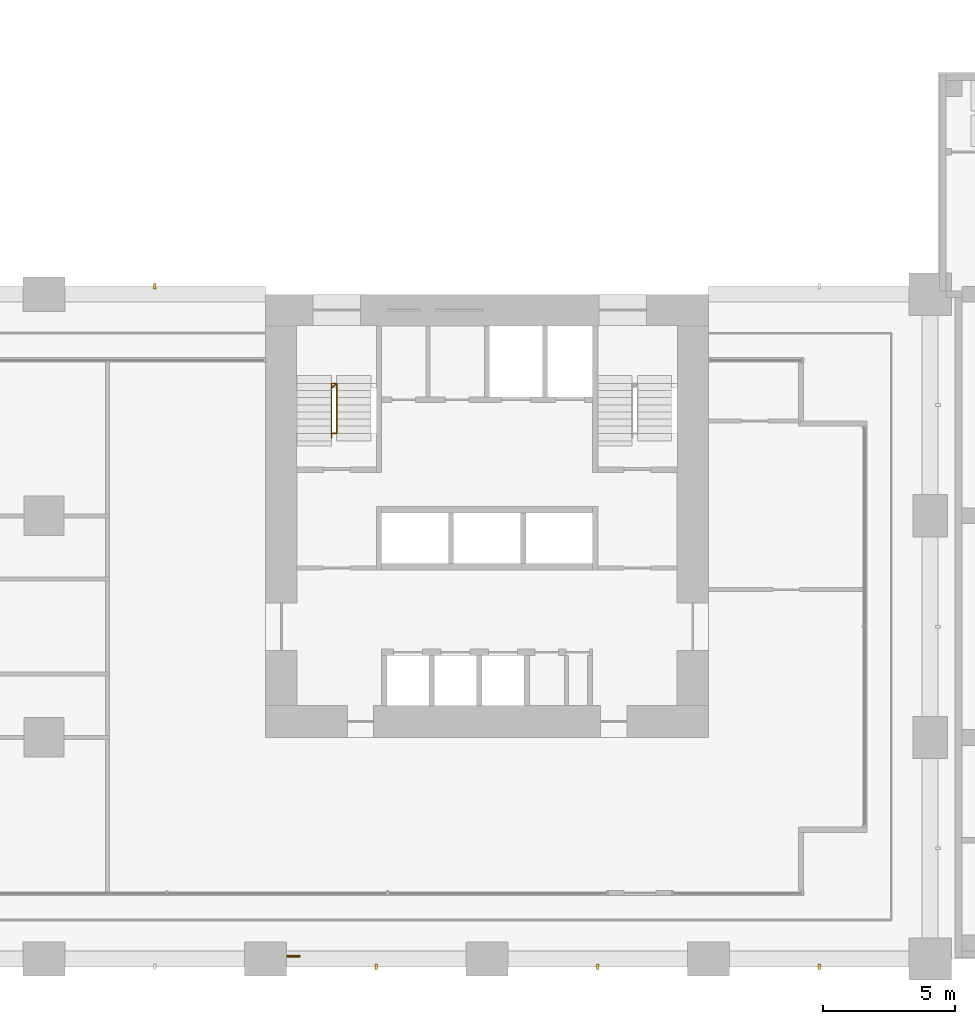
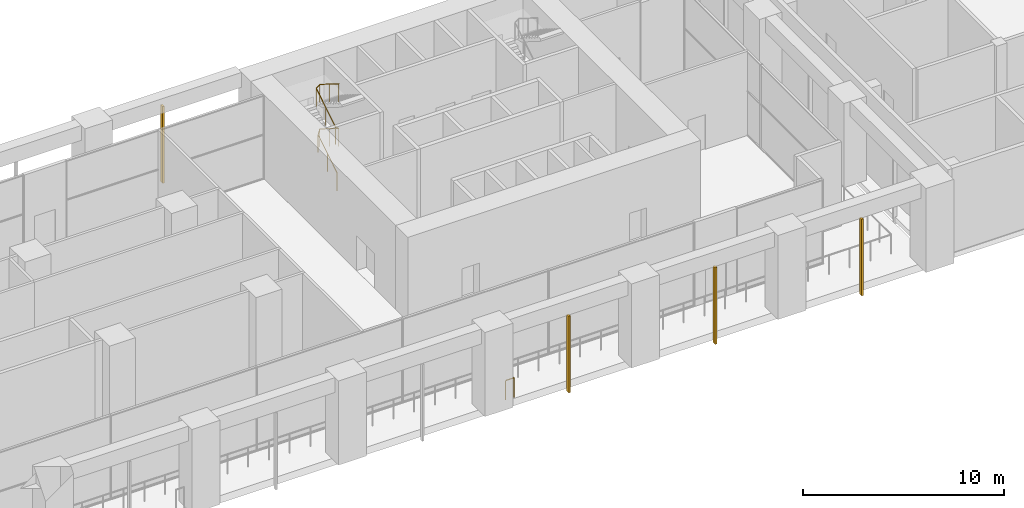
# One storey, part 26 of 33: 4 shading devices, 2 railings.
"""IFC4 building model written with IfcOpenShell, lengths in metres."""

from ifc_helpers import new_model, si_unit, direction, frame, origin, origin_2d, place, context, subcontext, project, spatial, rectangle, circle, extrude, material, material_profile, profile_set, type_object, element, save


model = new_model("IFC4")

# Units and contexts
model_context = context("Model", 3, precision=1e-05, world=origin(), true_north=direction((0.0, 1.0)))
body_context = subcontext(model_context, "Body", "Model", "MODEL_VIEW")
ifc_project = project(units=[si_unit("LENGTHUNIT", "METRE"), si_unit("AREAUNIT", "SQUARE_METRE"), si_unit("VOLUMEUNIT", "CUBIC_METRE"), si_unit("PLANEANGLEUNIT", "RADIAN"), si_unit("MASSUNIT", "GRAM", prefix="KILO")], contexts=[model_context])

# Site, building, storey
site_placement = place(None, origin())
site = spatial("IfcSite", under=ifc_project, at=site_placement, CompositionType="ELEMENT")
building_placement = place(site_placement, origin())
building = spatial("IfcBuilding", under=site, at=building_placement, Name="Vermilion Gate Residences", CompositionType="ELEMENT")
storey_placement = place(building_placement, frame((0.0, 0.0, 14.39990234375)))
storey = spatial("IfcBuildingStorey", under=building, at=storey_placement, Name="L02", CompositionType="ELEMENT", Elevation=14.39990234375)

# Railings
ifc_material_1 = material(Name="Stainless steel and toughened glass", Category="steel")
railing_type_1 = type_object("IfcRailingType", Name="LOGGIA GUARD STEEL AND GLASS 1200", PredefinedType="GUARDRAIL", material=ifc_material_1)
railing_1_placement = place(storey_placement, frame((43.300048828125, 0.10009765625, 0.0)))
element("IfcRailing", 1, at=railing_1_placement, inside=storey, type_object=railing_type_1, Name="Loggia guard", PredefinedType="GUARDRAIL", context=body_context, shape_type="SweptSolid", body=[
    extrude(circle(Radius=0.030029296875, at=origin_2d()), frame((0.0, 0.0, 1.169921875), z_axis=(-1.0, 0.0, 0.0), x_axis=(0.0, -1.0, 0.0)), (0.0, 0.0, 1.0), 0.47802734375),
    extrude(circle(Radius=0.02490234375, at=origin_2d()), origin(), (0.0, 0.0, 1.0), 1.139892578125),
    extrude(circle(Radius=0.02490234375, at=origin_2d()), frame((-0.47802734375, 0.0, 0.0)), (0.0, 0.0, 1.0), 1.139892578125),
])
ifc_material_2 = material(Name="Steel S355", Category="steel")
railing_type_2 = type_object("IfcRailingType", Name="STAIR GUARD 1100 STEEL", PredefinedType="GUARDRAIL", material=ifc_material_2)
railing_2_placement = place(storey_placement, frame((44.5, 19.75, 0.1689453125)))
element("IfcRailing", 2, at=railing_2_placement, inside=storey, type_object=railing_type_2, Name="Stair well guard STA1-02", PredefinedType="GUARDRAIL", context=body_context, shape_type="SweptSolid", body=[
    extrude(circle(Radius=0.02392578125, at=origin_2d()), frame((0.0, 0.0, 1.076171875), z_axis=(0.0, 0.848004458282, 0.529989093033), x_axis=(-1.0, 0.0, 0.0)), (0.0, 0.0, 1.0), 2.228515625),
    extrude(circle(Radius=0.02392578125, at=origin_2d()), frame((0.0, 1.889892578125, 2.25732421875), z_axis=(0.629462764899, 0.567208205734, 0.531085189921), x_axis=(-0.669415636384, 0.74288808428, 0.0)), (0.0, 0.0, 1.0), 0.317626953125),
    extrude(circle(Radius=0.02392578125, at=origin_2d()), frame((0.199951171875, 2.070068359375, 2.42578125), z_axis=(0.0, -0.847985996966, 0.530018630757), x_axis=(1.0, 0.0, 0.0)), (0.0, 0.0, 1.0), 2.22900390625),
    extrude(circle(Radius=0.02392578125, at=origin_2d()), frame((0.199951171875, 0.179931640625, 3.607421875), z_axis=(-0.764305856904, 0.0, 0.644853903688), x_axis=(0.0, -1.0, 0.0)), (0.0, 0.0, 1.0), 0.26171875),
    extrude(circle(Radius=0.02392578125, at=origin_2d()), frame((0.0, 0.179931640625, 3.77587890625), z_axis=(0.0, 0.848035224522, 0.529939862598), x_axis=(-1.0, 0.0, 0.0)), (0.0, 0.0, 1.0), 2.228759765625),
    extrude(circle(Radius=0.02392578125, at=origin_2d()), frame((0.0, 2.070068359375, 4.95703125), z_axis=(0.764305856904, 0.0, 0.644853903688), x_axis=(0.0, 1.0, 0.0)), (0.0, 0.0, 1.0), 0.26171875),
    extrude(circle(Radius=0.02392578125, at=origin_2d()), frame((0.199951171875, 2.070068359375, 5.1259765625), z_axis=(0.0, -0.847985996966, 0.530018630757), x_axis=(1.0, 0.0, 0.0)), (0.0, 0.0, 1.0), 2.22900390625),
    extrude(circle(Radius=0.02099609375, at=origin_2d()), origin(), (0.0, 0.0, 1.0), 1.052001953125),
    extrude(circle(Radius=0.02099609375, at=origin_2d()), frame((0.0, 0.94482421875, 0.590576171875)), (0.0, 0.0, 1.0), 1.052001953125),
    extrude(circle(Radius=0.02099609375, at=origin_2d()), frame((0.0, 1.889892578125, 1.18115234375)), (0.0, 0.0, 1.0), 1.052001953125),
    extrude(circle(Radius=0.02099609375, at=origin_2d()), frame((0.199951171875, 2.070068359375, 1.349853515625)), (0.0, 0.0, 1.0), 1.052001953125),
    extrude(circle(Radius=0.02099609375, at=origin_2d()), frame((0.199951171875, 1.125, 1.9404296875)), (0.0, 0.0, 1.0), 1.052001953125),
    extrude(circle(Radius=0.02099609375, at=origin_2d()), frame((0.199951171875, 0.179931640625, 2.53125)), (0.0, 0.0, 1.0), 1.052001953125),
    extrude(circle(Radius=0.02099609375, at=origin_2d()), frame((0.0, 0.179931640625, 2.699951171875)), (0.0, 0.0, 1.0), 1.052001953125),
    extrude(circle(Radius=0.02099609375, at=origin_2d()), frame((0.0, 1.125, 3.29052734375)), (0.0, 0.0, 1.0), 1.052001953125),
    extrude(circle(Radius=0.02099609375, at=origin_2d()), frame((0.0, 2.070068359375, 3.881103515625)), (0.0, 0.0, 1.0), 1.052001953125),
    extrude(circle(Radius=0.02099609375, at=origin_2d()), frame((0.199951171875, 2.070068359375, 4.0498046875)), (0.0, 0.0, 1.0), 1.052001953125),
    extrude(circle(Radius=0.02099609375, at=origin_2d()), frame((0.199951171875, 1.125, 4.640625)), (0.0, 0.0, 1.0), 1.052001953125),
    extrude(circle(Radius=0.02099609375, at=origin_2d()), frame((0.199951171875, 0.179931640625, 5.231201171875)), (0.0, 0.0, 1.0), 1.052001953125),
])

# Shading devices
ifc_material_3 = material(Name="Extruded terracotta", Category="masonry")
ifc_material_profile = material_profile(ifc_material_3, rectangle(XDim=0.199951171875, YDim=0.10009765625, at=origin_2d()), Name="BAGUETTE 100 X 200")
ifc_profile_set = profile_set([ifc_material_profile], Name="Extruded terracotta")
shading_device_type = type_object("IfcShadingDeviceType", Name="TERRACOTTA BAGUETTE 100 X 200", PredefinedType="JALOUSIE", material=ifc_profile_set)
for number, where, z_axis, x_axis, name in (
    (3, (46.199951171875, -0.300048828125, -0.449951171875), (0.0, 0.0, 1.0), (0.0, 1.0, 0.0), "BAGUETTE"),
    (4, (54.60009765625, -0.300048828125, -0.449951171875), (0.0, 0.0, 1.0), (0.0, 1.0, 0.0), "BAGUETTE"),
    (5, (63.0, -0.300048828125, -0.449951171875), (0.0, 0.0, 1.0), (0.0, 1.0, 0.0), "BAGUETTE"),
    (6, (37.800048828125, 25.5, -0.449951171875), (0.0, 0.0, 1.0), (0.0, -1.0, 0.0), "BAGUETTE"),
):
    element("IfcShadingDevice", number, at=place(storey_placement, frame(where, z_axis=z_axis, x_axis=x_axis)), inside=storey, type_object=shading_device_type, Name=name, PredefinedType="JALOUSIE", context=body_context, shape_type="SweptSolid", body=[
        extrude(rectangle(XDim=0.199951171875, YDim=0.10009765625, at=origin_2d()), origin(), (0.0, 0.0, 1.0), 4.650146484375),
    ])

save(model, "model.ifc")
